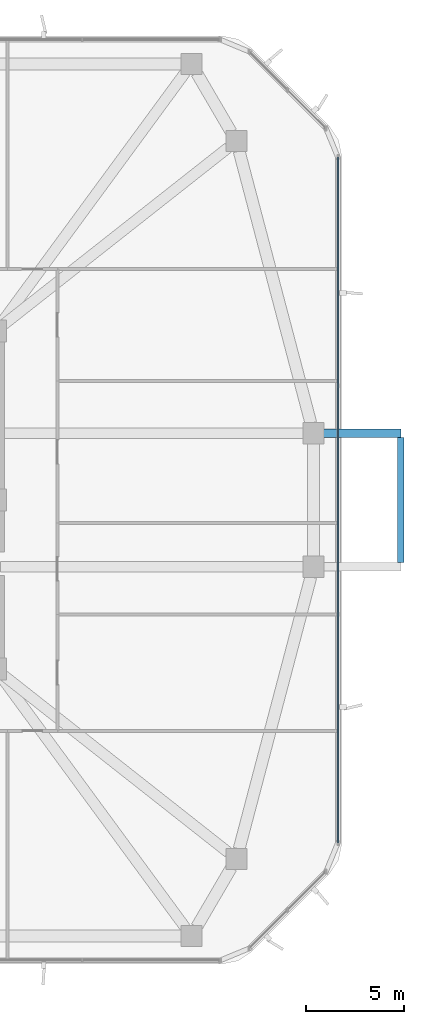
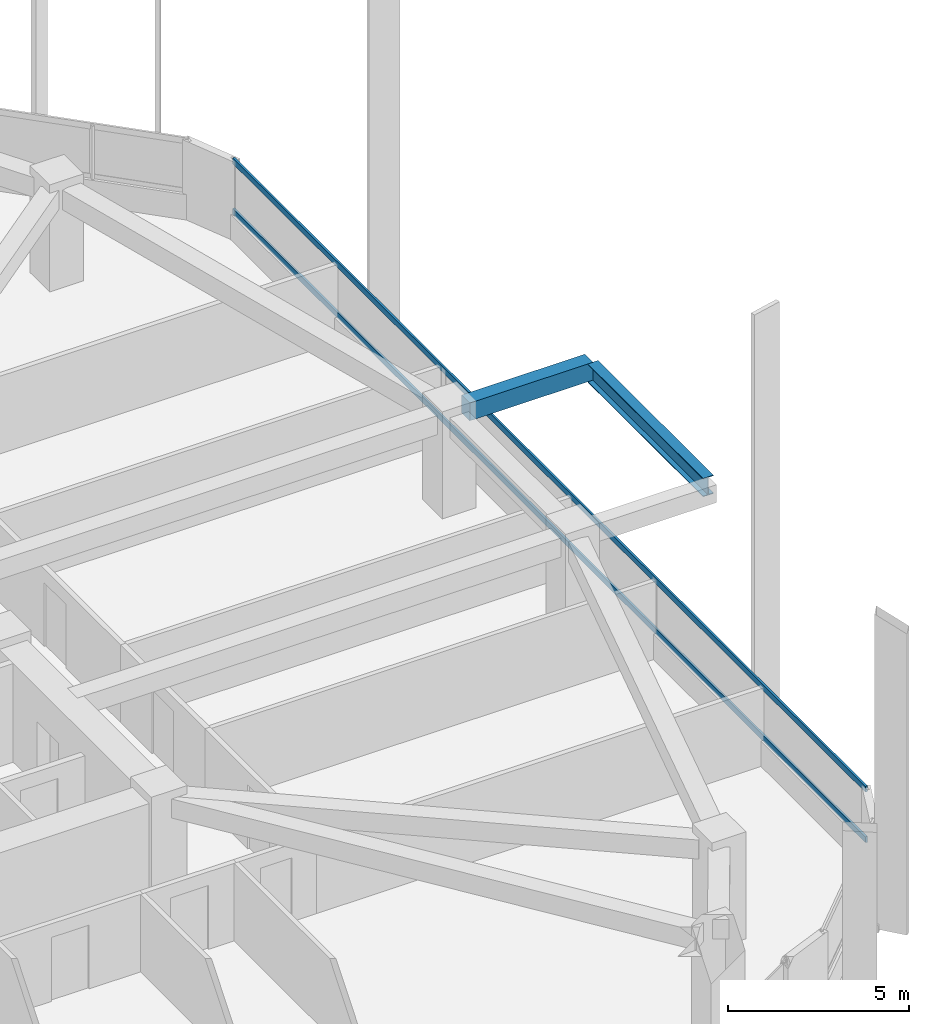
# One storey, part 5 of 17: 2 beams, 2 members, 1 element without a shape of its own.
"""IFC4 building model written with IfcOpenShell, lengths in metres."""

from ifc_helpers import new_model, si_unit, derived_unit, direction, frame, origin, origin_2d, place, context, subcontext, project, spatial, rectangle, i_section, extrude, material, material_profile, profile_set, type_object, element, aggregate, save


model = new_model("IFC4")

# Units and contexts
model_context = context("Model", 3, precision=1e-05, world=origin(), true_north=direction((0.0, 1.0)))
body_context = subcontext(model_context, "Body", "Model", "MODEL_VIEW")
ifc_project = project(units=[si_unit("LENGTHUNIT", "METRE"), si_unit("AREAUNIT", "SQUARE_METRE"), si_unit("VOLUMEUNIT", "CUBIC_METRE"), si_unit("PLANEANGLEUNIT", "RADIAN"), si_unit("MASSUNIT", "GRAM", prefix="KILO"), derived_unit("THERMALTRANSMITTANCEUNIT", [(si_unit("POWERUNIT", "WATT"), 1), (si_unit("LENGTHUNIT", "METRE"), -2), (si_unit("THERMODYNAMICTEMPERATUREUNIT", "KELVIN"), -1)])], contexts=[model_context])

# Site, building, storey
site_placement = place(None, origin())
site = spatial("IfcSite", under=ifc_project, at=site_placement, CompositionType="ELEMENT")
building_placement = place(site_placement, origin())
building = spatial("IfcBuilding", under=site, at=building_placement, Name="Koralith Skygarden Medical Center", CompositionType="ELEMENT")
storey_placement = place(building_placement, frame((0.0, 0.0, 38.340087890625)))
storey = spatial("IfcBuildingStorey", under=building, at=storey_placement, Name="L09", CompositionType="ELEMENT", Elevation=38.340087890625)

# Curtain wall, members
ifc_material_1 = material(Name="Clear Laminated Glass", Category="glass")
curtain_wall_type = type_object("IfcCurtainWallType", Name="CW-2 Zone 1 Hurricane Unitised Curtain Wall", PredefinedType="NOTDEFINED", material=ifc_material_1)
curtain_wall_placement = place(storey_placement, origin())
curtain_wall = element("IfcCurtainWall", 1, at=curtain_wall_placement, inside=storey, type_object=curtain_wall_type, Name="Curtain Wall CW-L09-E", PredefinedType="NOTDEFINED")
ifc_material_2 = material(Name="Aluminium 6063-T6", Category="aluminium")
ifc_material_profile_1 = material_profile(ifc_material_2, rectangle(XDim=0.06591796875, YDim=0.197998046875, at=origin_2d()), Name="TRN66X198")
ifc_profile_set_1 = profile_set([ifc_material_profile_1], Name="Aluminium 6063-T6")
member_type = type_object("IfcMemberType", Name="CW-2 Thermal Transom 66x198", PredefinedType="USERDEFINED", material=ifc_profile_set_1)
member_1_placement = place(storey_placement, frame((65.6201171875, 8.455078125, 0.89990234375), z_axis=(0.0, 1.0, 0.0), x_axis=(-1.0, 0.0, 0.0)))
member_1 = element("IfcMember", 2, at=member_1_placement, type_object=member_type, Name="CW-L09-E Transom 1", ObjectType="TRANSOM", PredefinedType="USERDEFINED", context=body_context, shape_type="SweptSolid", body=[
    extrude(rectangle(XDim=0.06591796875, YDim=0.197998046875, at=origin_2d()), origin(), (0.0, 0.0, 1.0), 34.889892578125),
])
member_2_placement = place(storey_placement, frame((65.6201171875, 8.455078125, 2.599853515625), z_axis=(0.0, 1.0, 0.0), x_axis=(-1.0, 0.0, 0.0)))
member_2 = element("IfcMember", 3, at=member_2_placement, type_object=member_type, Name="CW-L09-E Transom 2", ObjectType="TRANSOM", PredefinedType="USERDEFINED", context=body_context, shape_type="SweptSolid", body=[
    extrude(rectangle(XDim=0.06591796875, YDim=0.197998046875, at=origin_2d()), origin(), (0.0, 0.0, 1.0), 34.889892578125),
])
aggregate(curtain_wall, [member_1, member_2])

# Beams
ifc_material_3 = material(Name="Steel ASTM A992 Grade 50", Category="steel")
ifc_material_profile_2 = material_profile(ifc_material_3, i_section(OverallWidth=0.326904296875, OverallDepth=0.6220703125, WebThickness=0.015380859375, FlangeThickness=0.0244140625, at=origin_2d()), Name="W24X131")
ifc_profile_set_2 = profile_set([ifc_material_profile_2], Name="Steel ASTM A992 Grade 50")
beam_type_1 = type_object("IfcBeamType", Name="Cantilever Tie Beam W24X131", PredefinedType="BEAM", material=ifc_profile_set_2)
beam_1_placement = place(storey_placement, frame((68.820068359375, 22.719970703125, 3.02880859375), z_axis=(0.0, 1.0, 0.0), x_axis=(-1.0, 0.0, 0.0)))
element("IfcBeam", 4, at=beam_1_placement, inside=storey, type_object=beam_type_1, Name="L10 E Balcony Tip Tie Beam", PredefinedType="BEAM", context=body_context, shape_type="SweptSolid", body=[
    extrude(i_section(OverallWidth=0.326904296875, OverallDepth=0.6220703125, WebThickness=0.015380859375, FlangeThickness=0.0244140625, at=origin_2d()), origin(), (0.0, 0.0, 1.0), 6.360107421875),
])
ifc_material_4 = material(Name="Concrete C45/55", Category="concrete")
ifc_material_profile_3 = material_profile(ifc_material_4, rectangle(XDim=0.449951171875, YDim=0.60009765625, at=origin_2d()), Name="RCB450X600")
ifc_profile_set_3 = profile_set([ifc_material_profile_3], Name="Concrete C45/55")
beam_type_2 = type_object("IfcBeamType", Name="Planted Balcony Cantilever Beam RCB450X600", PredefinedType="BEAM", material=ifc_profile_set_3)
beam_2_placement = place(storey_placement, frame((64.89990234375, 29.300048828125, 3.039794921875), z_axis=(1.0, 0.0, 0.0), x_axis=(0.0, 1.0, 0.0)))
element("IfcBeam", 5, at=beam_2_placement, inside=storey, type_object=beam_type_2, Name="L10 E Balcony Cantilever Beam B", PredefinedType="BEAM", context=body_context, shape_type="SweptSolid", body=[
    extrude(rectangle(XDim=0.449951171875, YDim=0.60009765625, at=origin_2d()), origin(), (0.0, 0.0, 1.0), 3.920166015625),
])

save(model, "model.ifc")
